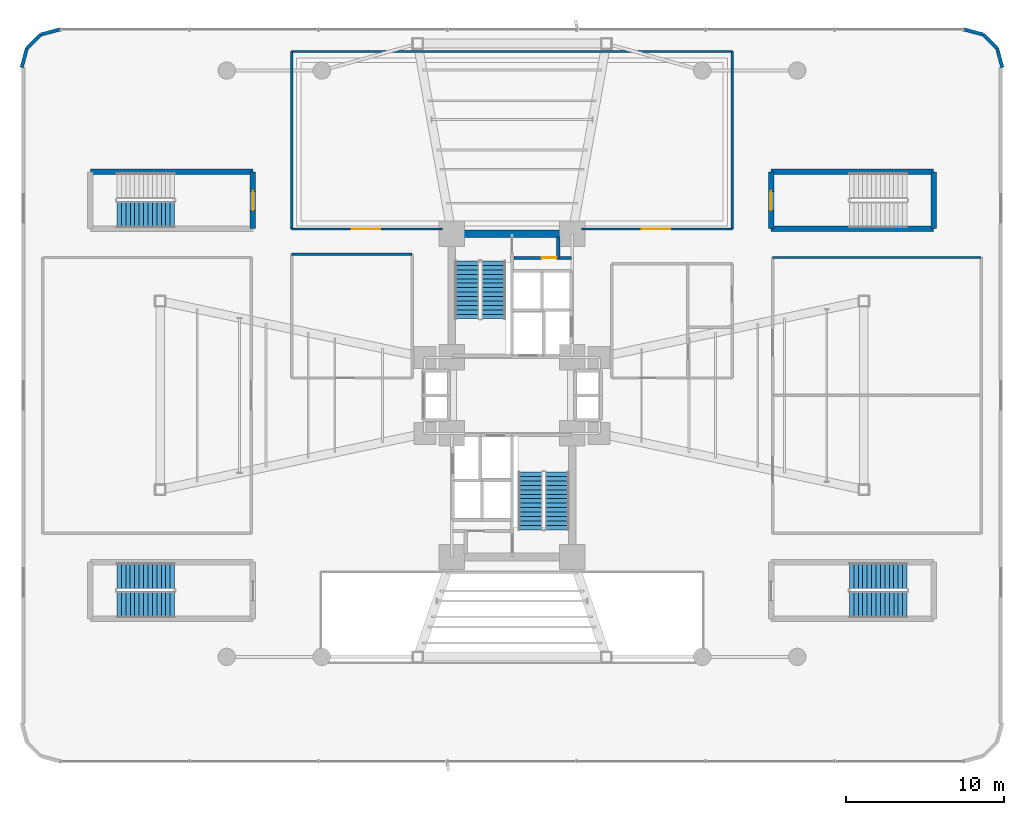
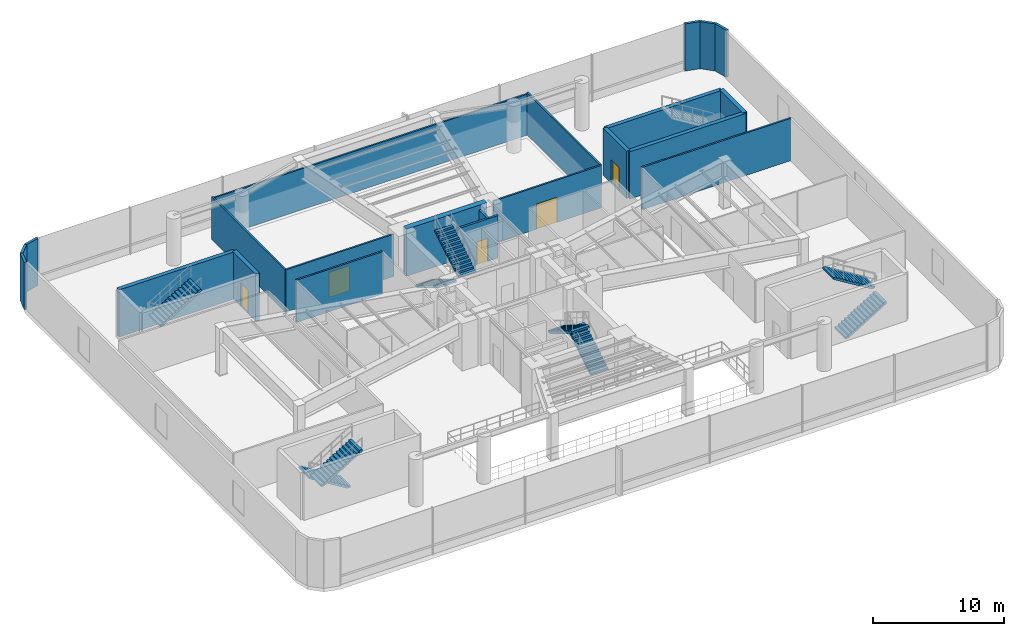
# One storey, part 17 of 22: 22 walls, 9 stair flights, 5 doors, 5 openings, 5 elements without a shape of their own.
"""IFC4 building model written with IfcOpenShell, lengths in metres."""

from ifc_helpers import new_model, si_unit, direction, frame, frame_2d, origin, origin_2d, place, context, subcontext, project, spatial, polyline, rectangle, outline, extrude, source, transform, mapped, material, layer, layer_set, type_object, element, fill, aggregate, save


model = new_model("IFC4")

# Units and contexts
model_context = context("Model", 3, precision=1e-05, world=origin(), true_north=direction((0.0, 1.0)))
body_context = subcontext(model_context, "Body", "Model", "MODEL_VIEW")
ifc_project = project(units=[si_unit("LENGTHUNIT", "METRE"), si_unit("AREAUNIT", "SQUARE_METRE"), si_unit("VOLUMEUNIT", "CUBIC_METRE"), si_unit("PLANEANGLEUNIT", "RADIAN"), si_unit("MASSUNIT", "GRAM", prefix="KILO")], contexts=[model_context])

# Site, building, storey
site_placement = place(None, origin())
site = spatial("IfcSite", under=ifc_project, at=site_placement, CompositionType="ELEMENT")
building_placement = place(site_placement, origin())
building = spatial("IfcBuilding", under=site, at=building_placement, Name="Sahyath Konkavel Grand Hotel", CompositionType="ELEMENT")
storey_placement = place(building_placement, frame((0.0, 0.0, 9.300048828125)))
storey = spatial("IfcBuildingStorey", under=building, at=storey_placement, Name="L02", CompositionType="ELEMENT", Elevation=9.300048828125)

# Wall
ifc_material_1 = material(Name="Concrete C40/50", Category="concrete")
ifc_layer_1 = layer(ifc_material_1, 0.35009765625)
ifc_layer_set_1 = layer_set([ifc_layer_1], Name="Concrete C40/50")
wall_type_1 = type_object("IfcWallType", Name="CWALL-350", PredefinedType="SHEAR", material=ifc_layer_set_1)
wall_1_placement = place(storey_placement, frame((-26.60009765625, 14.10009765625, 0.0), z_axis=(0.0, 0.0, 1.0), x_axis=(1.0, 0.0, 0.0)))
element("IfcWall", 1, at=wall_1_placement, inside=storey, type_object=wall_type_1, Name="L02 Partition ST-P1-N", PredefinedType="SHEAR", context=body_context, shape_type="SweptSolid", body=[
    extrude(rectangle(XDim=10.25, YDim=0.35009765625, at=frame_2d((5.125, 0.0))), origin(), (0.0, 0.0, 1.0), 4.39990234375),
])

# Wall, opening, door
wall_2_placement = place(storey_placement, frame((-16.35009765625, 10.52001953125, 0.0), z_axis=(0.0, 0.0, 1.0), x_axis=(0.0, 1.0, 0.0)))
wall_2 = element("IfcWall", 2, at=wall_2_placement, inside=storey, type_object=wall_type_1, Name="L02 Partition ST-P1-E", PredefinedType="SHEAR", context=body_context, shape_type="SweptSolid", body=[
    extrude(rectangle(XDim=3.580078125, YDim=0.35009765625, at=frame_2d((1.7900390625, 0.0))), origin(), (0.0, 0.0, 1.0), 4.39990234375),
])
opening_1_placement = place(wall_2_placement, frame((1.14990234375, 0.0, 0.0)))
opening_1 = element("IfcOpeningElement", 3, at=opening_1_placement, cuts=wall_2, Name="Opening D-F12A", PredefinedType="OPENING", context=body_context, shape_type="SweptSolid", body=[
    extrude(rectangle(XDim=1.199951171875, YDim=2.199951171875, at=frame_2d((0.60009765625, 1.10009765625))), frame((0.0, 0.18505859375, 0.0), z_axis=(0.0, -1.0, 0.0), x_axis=(1.0, 0.0, 0.0)), (0.0, 0.0, 1.0), 0.3701171875),
])
ifc_material_2 = material(Name="Steel E350 Fire Door", Category="steel")
door_type_1 = type_object("IfcDoorType", Name="DR-FD120-1200", OperationType="NOTDEFINED", PredefinedType="DOOR", material=ifc_material_2)
shared_shape_1 = source(origin(), body_context, "Body", "SweptSolid", [
    extrude(rectangle(XDim=1.199951171875, YDim=0.050048828125, at=origin_2d()), origin(), (0.0, 0.0, 1.0), 2.199951171875),
])
door_1_placement = place(opening_1_placement, frame((0.60009765625, 0.0, 0.0)))
door_1 = element("IfcDoor", 4, at=door_1_placement, inside=storey, type_object=door_type_1, Name="L02 ST-P1 Fire Door", OperationType="SINGLE_SWING_RIGHT", OverallHeight=2.199951171875, OverallWidth=1.199951171875, PredefinedType="DOOR", context=body_context, shape_type="MappedRepresentation", body=[
    mapped(shared_shape_1, transform((0.0, 0.0, 0.0), scale=1.0)),
])
fill(opening_1, door_1)

# Walls
for number, where, z_axis, x_axis, name in (
    (5, (16.35009765625, 14.10009765625, 0.0), (0.0, 0.0, 1.0), (1.0, 0.0, 0.0), "L02 Partition ST-P2-N"),
    (6, (16.35009765625, 10.52001953125, 0.0), (0.0, 0.0, 1.0), (1.0, 0.0, 0.0), "L02 Partition ST-P2-S"),
):
    element("IfcWall", number, at=place(storey_placement, frame(where, z_axis=z_axis, x_axis=x_axis)), inside=storey, type_object=wall_type_1, Name=name, PredefinedType="SHEAR", context=body_context, shape_type="SweptSolid", body=[
        extrude(rectangle(XDim=10.25, YDim=0.35009765625, at=frame_2d((5.125, 0.0))), origin(), (0.0, 0.0, 1.0), 4.39990234375),
    ])

# Wall, opening, door
wall_3_placement = place(storey_placement, frame((16.35009765625, 10.52001953125, 0.0), z_axis=(0.0, 0.0, 1.0), x_axis=(0.0, 1.0, 0.0)))
wall_3 = element("IfcWall", 7, at=wall_3_placement, inside=storey, type_object=wall_type_1, Name="L02 Partition ST-P2-W", PredefinedType="SHEAR", context=body_context, shape_type="SweptSolid", body=[
    extrude(rectangle(XDim=3.580078125, YDim=0.35009765625, at=frame_2d((1.7900390625, 0.0))), origin(), (0.0, 0.0, 1.0), 4.39990234375),
])
opening_2_placement = place(wall_3_placement, frame((1.14990234375, 0.0, 0.0)))
opening_2 = element("IfcOpeningElement", 8, at=opening_2_placement, cuts=wall_3, Name="Opening D-F12A", PredefinedType="OPENING", context=body_context, shape_type="SweptSolid", body=[
    extrude(rectangle(XDim=1.199951171875, YDim=2.199951171875, at=frame_2d((0.60009765625, 1.10009765625))), frame((0.0, 0.18505859375, 0.0), z_axis=(0.0, -1.0, 0.0), x_axis=(1.0, 0.0, 0.0)), (0.0, 0.0, 1.0), 0.3701171875),
])
door_2_placement = place(opening_2_placement, frame((0.60009765625, 0.0, 0.0)))
door_2 = element("IfcDoor", 9, at=door_2_placement, inside=storey, type_object=door_type_1, Name="L02 ST-P2 Fire Door", OperationType="SINGLE_SWING_LEFT", OverallHeight=2.199951171875, OverallWidth=1.199951171875, PredefinedType="DOOR", context=body_context, shape_type="MappedRepresentation", body=[
    mapped(shared_shape_1, transform((0.0, 0.0, 0.0), scale=1.0)),
])
fill(opening_2, door_2)

# Walls
wall_4_placement = place(storey_placement, frame((26.60009765625, 10.52001953125, 0.0), z_axis=(0.0, 0.0, 1.0), x_axis=(0.0, 1.0, 0.0)))
element("IfcWall", 10, at=wall_4_placement, inside=storey, type_object=wall_type_1, Name="L02 Partition ST-P2-E", PredefinedType="SHEAR", context=body_context, shape_type="SweptSolid", body=[
    extrude(rectangle(XDim=3.580078125, YDim=0.35009765625, at=frame_2d((1.7900390625, 0.0))), origin(), (0.0, 0.0, 1.0), 4.39990234375),
])
ifc_material_3 = material(Name="Concrete C70/85", Category="concrete")
ifc_layer_2 = layer(ifc_material_3, 0.5)
ifc_layer_set_2 = layer_set([ifc_layer_2], Name="Concrete C70/85")
wall_type_2 = type_object("IfcWallType", Name="CWALL-500", PredefinedType="SHEAR", material=ifc_layer_set_2)
wall_5_placement = place(storey_placement, frame((-3.550048828125, 10.199951171875, 0.0), z_axis=(0.0, 0.0, 1.0), x_axis=(1.0, 0.0, 0.0)))
element("IfcWall", 11, at=wall_5_placement, inside=storey, type_object=wall_type_2, Name="L02 North Core Shear Wall N", PredefinedType="SHEAR", context=body_context, shape_type="SweptSolid", body=[
    extrude(rectangle(XDim=7.10009765625, YDim=0.5, at=frame_2d((3.550048828125, 0.0))), origin(), (0.0, 0.0, 1.0), 4.39990234375),
])
ifc_material_4 = material(Name="Warm Buff Sandstone Insulated Concrete C40/50", Category="masonry")
ifc_layer_3 = layer(ifc_material_4, 0.219970703125)
ifc_layer_set_3 = layer_set([ifc_layer_3], Name="Warm Buff Sandstone Insulated Concrete C40/50")
wall_type_3 = type_object("IfcWallType", Name="WLL-BALC-THRESH", PredefinedType="STANDARD", material=ifc_layer_set_3)
wall_6_placement = place(storey_placement, frame((30.94091796875, 20.69189453125, 0.0), z_axis=(0.0, 0.0, 1.0), x_axis=(-0.25877537102, 0.965937527666, 0.0)))
element("IfcWall", 12, at=wall_6_placement, inside=storey, type_object=wall_type_3, Name="L02 Rounded Podium Corner Sandstone Pier 4", PredefinedType="STANDARD", context=body_context, shape_type="SweptSolid", body=[
    extrude(rectangle(XDim=1.242431640625, YDim=0.219970703125, at=frame_2d((0.62109375, 0.0))), origin(), (0.0, 0.0, 1.0), 4.39990234375),
])
for number, where, z_axis, x_axis, name in (
    (13, (30.619384765625, 21.89208984375, 0.0), (0.0, 0.0, 1.0), (-0.707106781187, 0.707106781187, 0.0), "L02 Rounded Podium Corner Sandstone Pier 5"),
    (14, (29.740966796875, 22.7705078125, 0.0), (0.0, 0.0, 1.0), (-0.965924366126, 0.258824494443, 0.0), "L02 Rounded Podium Corner Sandstone Pier 6"),
    (15, (-28.541015625, 23.092041015625, 0.0), (0.0, 0.0, 1.0), (-0.965924366126, -0.258824494443, 0.0), "L02 Rounded Podium Corner Sandstone Pier 8"),
    (16, (-29.740966796875, 22.7705078125, 0.0), (0.0, 0.0, 1.0), (-0.707106781187, -0.707106781187, 0.0), "L02 Rounded Podium Corner Sandstone Pier 9"),
):
    element("IfcWall", number, at=place(storey_placement, frame(where, z_axis=z_axis, x_axis=x_axis)), inside=storey, type_object=wall_type_3, Name=name, PredefinedType="STANDARD", context=body_context, shape_type="SweptSolid", body=[
        extrude(rectangle(XDim=1.2421875, YDim=0.219970703125, at=frame_2d((0.62109375, 0.0))), origin(), (0.0, 0.0, 1.0), 4.39990234375),
    ])
wall_7_placement = place(storey_placement, frame((-30.619384765625, 21.89208984375, 0.0), z_axis=(0.0, 0.0, 1.0), x_axis=(-0.25877537102, -0.965937527666, 0.0)))
element("IfcWall", 17, at=wall_7_placement, inside=storey, type_object=wall_type_3, Name="L02 Rounded Podium Corner Sandstone Pier 10", PredefinedType="STANDARD", context=body_context, shape_type="SweptSolid", body=[
    extrude(rectangle(XDim=1.242431640625, YDim=0.219970703125, at=frame_2d((0.62109375, 0.0))), origin(), (0.0, 0.0, 1.0), 4.39990234375),
])

# Wall, opening, door
ifc_layer_4 = layer(ifc_material_1, 0.199951171875)
ifc_layer_set_4 = layer_set([ifc_layer_4], Name="Concrete C40/50")
wall_type_4 = type_object("IfcWallType", Name="WLL-CORE-200", PredefinedType="SOLIDWALL", material=ifc_layer_set_4)
wall_8_placement = place(storey_placement, frame((0.1201171875, 8.679931640625, 0.0), z_axis=(0.0, 0.0, 1.0), x_axis=(1.0, 0.0, 0.0)))
wall_8 = element("IfcWall", 18, at=wall_8_placement, inside=storey, type_object=wall_type_4, Name="L02 North FF Lobby Separation Wall", PredefinedType="SOLIDWALL", context=body_context, shape_type="SweptSolid", body=[
    extrude(rectangle(XDim=3.619873046875, YDim=0.199951171875, at=frame_2d((1.81005859375, 0.0))), origin(), (0.0, 0.0, 1.0), 3.949951171875),
])
opening_3_placement = place(wall_8_placement, frame((1.75, 0.0, 0.0)))
opening_3 = element("IfcOpeningElement", 19, at=opening_3_placement, cuts=wall_8, Name="Opening D-F12C", PredefinedType="OPENING", context=body_context, shape_type="SweptSolid", body=[
    extrude(rectangle(XDim=0.949951171875, YDim=2.14990234375, at=frame_2d((0.47509765625, 1.074951171875))), frame((0.0, 0.10986328125, 0.0), z_axis=(0.0, -1.0, 0.0), x_axis=(1.0, 0.0, 0.0)), (0.0, 0.0, 1.0), 0.219970703125),
])
ifc_material_5 = material(Name="Steel E350 Plant Fire Door", Category="steel")
door_type_2 = type_object("IfcDoorType", Name="DR-FD120-950", OperationType="NOTDEFINED", PredefinedType="DOOR", material=ifc_material_5)
shared_shape_2 = source(origin(), body_context, "Body", "SweptSolid", [
    extrude(rectangle(XDim=0.949951171875, YDim=0.050048828125, at=origin_2d()), origin(), (0.0, 0.0, 1.0), 2.14990234375),
])
door_3_placement = place(opening_3_placement, frame((0.47509765625, 0.0, 0.0)))
door_3 = element("IfcDoor", 20, at=door_3_placement, inside=storey, type_object=door_type_2, Name="L02 North Firefighting Lobby Door", OperationType="SINGLE_SWING_LEFT", OverallHeight=2.14990234375, OverallWidth=0.949951171875, PredefinedType="DOOR", context=body_context, shape_type="MappedRepresentation", body=[
    mapped(shared_shape_2, transform((0.0, 0.0, 0.0), scale=1.0)),
])
fill(opening_3, door_3)

# Wall
wall_9_placement = place(storey_placement, frame((2.919921875, 8.679931640625, 0.0), z_axis=(0.0, 0.0, 1.0), x_axis=(0.0, 1.0, 0.0)))
element("IfcWall", 21, at=wall_9_placement, inside=storey, type_object=wall_type_4, Name="L02 Partition NFF-E2", PredefinedType="SOLIDWALL", context=body_context, shape_type="SweptSolid", body=[
    extrude(rectangle(XDim=1.320068359375, YDim=0.199951171875, at=frame_2d((0.66015625, 0.0))), origin(), (0.0, 0.0, 1.0), 3.949951171875),
])

# Wall, opening, door
ifc_material_6 = material(Name="Fire-Rated Gypsum Plasterboard Partition")
ifc_layer_5 = layer(ifc_material_6, 0.14990234375)
ifc_layer_set_5 = layer_set([ifc_layer_5], Name="Fire-Rated Gypsum Plasterboard Partition")
wall_type_5 = type_object("IfcWallType", Name="WLL-PART-150", PredefinedType="PARTITIONING", material=ifc_layer_set_5)
wall_10_placement = place(storey_placement, frame((-13.89990234375, 10.5, 0.0), z_axis=(0.0, 0.0, 1.0), x_axis=(1.0, 0.0, 0.0)))
wall_10 = element("IfcWall", 22, at=wall_10_placement, inside=storey, type_object=wall_type_5, Name="L02 Partition L02-BL-SW", PredefinedType="PARTITIONING", context=body_context, shape_type="SweptSolid", body=[
    extrude(rectangle(XDim=9.5, YDim=0.14990234375, at=frame_2d((4.75, 0.0))), origin(), (0.0, 0.0, 1.0), 3.949951171875),
])
opening_4_placement = place(wall_10_placement, frame((3.800048828125, 0.0, 0.0)))
opening_4 = element("IfcOpeningElement", 23, at=opening_4_placement, cuts=wall_10, Name="Opening D-DB18", PredefinedType="OPENING", context=body_context, shape_type="SweptSolid", body=[
    extrude(rectangle(XDim=1.800048828125, YDim=2.35009765625, at=frame_2d((0.89990234375, 1.175048828125))), frame((0.0, 0.0849609375, 0.0), z_axis=(0.0, -1.0, 0.0), x_axis=(1.0, 0.0, 0.0)), (0.0, 0.0, 1.0), 0.169921875),
])
ifc_material_7 = material(Name="Double Leaf Ballroom Acoustic Door")
door_type_3 = type_object("IfcDoorType", Name="DR-DBL-1800", OperationType="DOUBLE_DOOR_SINGLE_SWING", PredefinedType="DOOR", material=ifc_material_7)
shared_shape_3 = source(origin(), body_context, "Body", "SweptSolid", [
    extrude(rectangle(XDim=1.800048828125, YDim=0.050048828125, at=origin_2d()), origin(), (0.0, 0.0, 1.0), 2.35009765625),
])
door_4_placement = place(opening_4_placement, frame((0.89990234375, 0.0, 0.0)))
door_4 = element("IfcDoor", 24, at=door_4_placement, inside=storey, type_object=door_type_3, Name="L02 Door L02-BL-DW", OperationType="DOUBLE_DOOR_SINGLE_SWING", OverallHeight=2.35009765625, OverallWidth=1.800048828125, PredefinedType="DOOR", context=body_context, shape_type="MappedRepresentation", body=[
    mapped(shared_shape_3, transform((0.0, 0.0, 0.0), scale=1.0)),
])
fill(opening_4, door_4)

wall_11_placement = place(storey_placement, frame((4.39990234375, 10.5, 0.0), z_axis=(0.0, 0.0, 1.0), x_axis=(1.0, 0.0, 0.0)))
wall_11 = element("IfcWall", 25, at=wall_11_placement, inside=storey, type_object=wall_type_5, Name="L02 Partition L02-BL-SE", PredefinedType="PARTITIONING", context=body_context, shape_type="SweptSolid", body=[
    extrude(rectangle(XDim=9.5, YDim=0.14990234375, at=frame_2d((4.75, 0.0))), origin(), (0.0, 0.0, 1.0), 3.949951171875),
])
opening_5_placement = place(wall_11_placement, frame((3.800048828125, 0.0, 0.0)))
opening_5 = element("IfcOpeningElement", 26, at=opening_5_placement, cuts=wall_11, Name="Opening D-DB18", PredefinedType="OPENING", context=body_context, shape_type="SweptSolid", body=[
    extrude(rectangle(XDim=1.800048828125, YDim=2.35009765625, at=frame_2d((0.89990234375, 1.175048828125))), frame((0.0, 0.0849609375, 0.0), z_axis=(0.0, -1.0, 0.0), x_axis=(1.0, 0.0, 0.0)), (0.0, 0.0, 1.0), 0.169921875),
])
door_5_placement = place(opening_5_placement, frame((0.89990234375, 0.0, 0.0)))
door_5 = element("IfcDoor", 27, at=door_5_placement, inside=storey, type_object=door_type_3, Name="L02 Door L02-BL-DE", OperationType="DOUBLE_DOOR_SINGLE_SWING", OverallHeight=2.35009765625, OverallWidth=1.800048828125, PredefinedType="DOOR", context=body_context, shape_type="MappedRepresentation", body=[
    mapped(shared_shape_3, transform((0.0, 0.0, 0.0), scale=1.0)),
])
fill(opening_5, door_5)

# Walls
for number, where, z_axis, x_axis, name in (
    (28, (-13.89990234375, 10.5, 0.0), (0.0, 0.0, 1.0), (0.0, 1.0, 0.0), "L02 Partition L02-BL-W"),
    (29, (13.89990234375, 10.5, 0.0), (0.0, 0.0, 1.0), (0.0, 1.0, 0.0), "L02 Partition L02-BL-E"),
):
    element("IfcWall", number, at=place(storey_placement, frame(where, z_axis=z_axis, x_axis=x_axis)), inside=storey, type_object=wall_type_5, Name=name, PredefinedType="PARTITIONING", context=body_context, shape_type="SweptSolid", body=[
        extrude(rectangle(XDim=11.199951171875, YDim=0.14990234375, at=frame_2d((5.60009765625, 0.0))), origin(), (0.0, 0.0, 1.0), 3.949951171875),
    ])
wall_12_placement = place(storey_placement, frame((-13.89990234375, 21.699951171875, 0.0), z_axis=(0.0, 0.0, 1.0), x_axis=(1.0, 0.0, 0.0)))
element("IfcWall", 30, at=wall_12_placement, inside=storey, type_object=wall_type_5, Name="L02 Partition L02-BL-N", PredefinedType="PARTITIONING", context=body_context, shape_type="SweptSolid", body=[
    extrude(rectangle(XDim=27.7998046875, YDim=0.14990234375, at=frame_2d((13.89990234375, 0.0))), origin(), (0.0, 0.0, 1.0), 3.820068359375),
])
wall_13_placement = place(storey_placement, frame((16.449951171875, 8.699951171875, 0.0), z_axis=(0.0, 0.0, 1.0), x_axis=(1.0, 0.0, 0.0)))
element("IfcWall", 31, at=wall_13_placement, inside=storey, type_object=wall_type_5, Name="L02 Partition L02-BQE-N", PredefinedType="PARTITIONING", context=body_context, shape_type="SweptSolid", body=[
    extrude(rectangle(XDim=13.150146484375, YDim=0.14990234375, at=frame_2d((6.5751953125, 0.0))), origin(), (0.0, 0.0, 1.0), 3.949951171875),
])
wall_14_placement = place(storey_placement, frame((-13.89990234375, 8.89990234375, 0.0), z_axis=(0.0, 0.0, 1.0), x_axis=(1.0, 0.0, 0.0)))
element("IfcWall", 32, at=wall_14_placement, inside=storey, type_object=wall_type_5, Name="L02 Partition L02-BK-N", PredefinedType="PARTITIONING", context=body_context, shape_type="SweptSolid", body=[
    extrude(rectangle(XDim=7.599853515625, YDim=0.14990234375, at=frame_2d((3.7998046875, 0.0))), origin(), (0.0, 0.0, 1.0), 3.949951171875),
])

# Stair, stair flights
stair_type = type_object("IfcStairType", Name="STR-ST16-480", PredefinedType="HALF_TURN_STAIR", material=ifc_material_1)
stair_1_placement = place(storey_placement, origin())
stair_1 = element("IfcStair", 33, at=stair_1_placement, inside=storey, type_object=stair_type, Name="L02 North Core Smokeproof Exit Stair ST-1", PredefinedType="HALF_TURN_STAIR")
stair_flight_type = type_object("IfcStairFlightType", Name="STF-ST16-480", PredefinedType="STRAIGHT", material=ifc_material_1)
stair_flight_1_placement = place(storey_placement, frame((-2.840087890625, 8.47998046875, 0.0), z_axis=(0.0, 0.0, 1.0), x_axis=(0.0, -1.0, 0.0)))
stair_flight_1 = element("IfcStairFlight", 34, at=stair_flight_1_placement, type_object=stair_flight_type, Name="ST-1 flight 1", NumberOfRisers=14, NumberOfTreads=13, PredefinedType="STRAIGHT", RiserHeight=0.171428571, TreadLength=0.28, context=body_context, shape_type="SweptSolid", body=[
    extrude(outline(polyline([(0.0, 0.0), (0.0, 0.17138671875), (0.280029296875, 0.17138671875), (0.280029296875, 0.3427734375), (0.56005859375, 0.3427734375), (0.56005859375, 0.514404296875), (0.840087890625, 0.514404296875), (0.840087890625, 0.685791015625), (1.1201171875, 0.685791015625), (1.1201171875, 0.857177734375), (1.39990234375, 0.857177734375), (1.39990234375, 1.028564453125), (1.679931640625, 1.028564453125), (1.679931640625, 1.199951171875), (1.9599609375, 1.199951171875), (1.9599609375, 1.371337890625), (2.239990234375, 1.371337890625), (2.239990234375, 1.54296875), (2.52001953125, 1.54296875), (2.52001953125, 1.71435546875), (2.800048828125, 1.71435546875), (2.800048828125, 1.8857421875), (3.080078125, 1.8857421875), (3.080078125, 2.05712890625), (3.360107421875, 2.05712890625), (3.360107421875, 2.228515625), (3.639892578125, 2.228515625), (3.639892578125, 2.39990234375), (3.639892578125, 2.052734375), (0.287109375, 0.0), (0.0, 0.0)])), frame((0.0, 0.760009765625, 0.0), z_axis=(0.0, -1.0, 0.0), x_axis=(1.0, 0.0, 0.0)), (0.0, 0.0, 1.0), 1.52001953125),
])
stair_flight_2_placement = place(storey_placement, frame((-1.159912109375, 4.840087890625, 2.39990234375), z_axis=(0.0, 0.0, 1.0), x_axis=(0.0, 1.0, 0.0)))
stair_flight_2 = element("IfcStairFlight", 35, at=stair_flight_2_placement, type_object=stair_flight_type, Name="ST-1 flight 2", NumberOfRisers=14, NumberOfTreads=13, PredefinedType="STRAIGHT", RiserHeight=0.171428571, TreadLength=0.28, context=body_context, shape_type="SweptSolid", body=[
    extrude(outline(polyline([(0.0, 0.0), (0.0, 0.17138671875), (0.280029296875, 0.17138671875), (0.280029296875, 0.3427734375), (0.56005859375, 0.3427734375), (0.56005859375, 0.514404296875), (0.840087890625, 0.514404296875), (0.840087890625, 0.685791015625), (1.1201171875, 0.685791015625), (1.1201171875, 0.857177734375), (1.39990234375, 0.857177734375), (1.39990234375, 1.028564453125), (1.679931640625, 1.028564453125), (1.679931640625, 1.199951171875), (1.9599609375, 1.199951171875), (1.9599609375, 1.371337890625), (2.239990234375, 1.371337890625), (2.239990234375, 1.54296875), (2.52001953125, 1.54296875), (2.52001953125, 1.71435546875), (2.800048828125, 1.71435546875), (2.800048828125, 1.8857421875), (3.080078125, 1.8857421875), (3.080078125, 2.05712890625), (3.360107421875, 2.05712890625), (3.360107421875, 2.228515625), (3.639892578125, 2.228515625), (3.639892578125, 2.39990234375), (3.639892578125, 2.052734375), (0.287109375, 0.0), (0.0, 0.0)])), frame((0.0, 0.760009765625, 0.0), z_axis=(0.0, -1.0, 0.0), x_axis=(1.0, 0.0, 0.0)), (0.0, 0.0, 1.0), 1.52001953125),
])
aggregate(stair_1, [stair_flight_1, stair_flight_2])

stair_2_placement = place(storey_placement, origin())
stair_2 = element("IfcStair", 36, at=stair_2_placement, inside=storey, type_object=stair_type, Name="L02 South Core Smokeproof Exit Stair ST-2", PredefinedType="HALF_TURN_STAIR")
stair_flight_3_placement = place(storey_placement, frame((2.840087890625, -8.47998046875, 0.0), z_axis=(0.0, 0.0, 1.0), x_axis=(0.0, 1.0, 0.0)))
stair_flight_3 = element("IfcStairFlight", 37, at=stair_flight_3_placement, type_object=stair_flight_type, Name="ST-2 flight 1", NumberOfRisers=14, NumberOfTreads=13, PredefinedType="STRAIGHT", RiserHeight=0.171428571, TreadLength=0.28, context=body_context, shape_type="SweptSolid", body=[
    extrude(outline(polyline([(0.0, 0.0), (0.0, 0.17138671875), (0.280029296875, 0.17138671875), (0.280029296875, 0.3427734375), (0.56005859375, 0.3427734375), (0.56005859375, 0.514404296875), (0.840087890625, 0.514404296875), (0.840087890625, 0.685791015625), (1.1201171875, 0.685791015625), (1.1201171875, 0.857177734375), (1.39990234375, 0.857177734375), (1.39990234375, 1.028564453125), (1.679931640625, 1.028564453125), (1.679931640625, 1.199951171875), (1.9599609375, 1.199951171875), (1.9599609375, 1.371337890625), (2.239990234375, 1.371337890625), (2.239990234375, 1.54296875), (2.52001953125, 1.54296875), (2.52001953125, 1.71435546875), (2.800048828125, 1.71435546875), (2.800048828125, 1.8857421875), (3.080078125, 1.8857421875), (3.080078125, 2.05712890625), (3.360107421875, 2.05712890625), (3.360107421875, 2.228515625), (3.639892578125, 2.228515625), (3.639892578125, 2.39990234375), (3.639892578125, 2.052734375), (0.287109375, 0.0), (0.0, 0.0)])), frame((0.0, 0.760009765625, 0.0), z_axis=(0.0, -1.0, 0.0), x_axis=(1.0, 0.0, 0.0)), (0.0, 0.0, 1.0), 1.52001953125),
])
stair_flight_4_placement = place(storey_placement, frame((1.159912109375, -4.840087890625, 2.39990234375), z_axis=(0.0, 0.0, 1.0), x_axis=(0.0, -1.0, 0.0)))
stair_flight_4 = element("IfcStairFlight", 38, at=stair_flight_4_placement, type_object=stair_flight_type, Name="ST-2 flight 2", NumberOfRisers=14, NumberOfTreads=13, PredefinedType="STRAIGHT", RiserHeight=0.171428571, TreadLength=0.28, context=body_context, shape_type="SweptSolid", body=[
    extrude(outline(polyline([(0.0, 0.0), (0.0, 0.17138671875), (0.280029296875, 0.17138671875), (0.280029296875, 0.3427734375), (0.56005859375, 0.3427734375), (0.56005859375, 0.514404296875), (0.840087890625, 0.514404296875), (0.840087890625, 0.685791015625), (1.1201171875, 0.685791015625), (1.1201171875, 0.857177734375), (1.39990234375, 0.857177734375), (1.39990234375, 1.028564453125), (1.679931640625, 1.028564453125), (1.679931640625, 1.199951171875), (1.9599609375, 1.199951171875), (1.9599609375, 1.371337890625), (2.239990234375, 1.371337890625), (2.239990234375, 1.54296875), (2.52001953125, 1.54296875), (2.52001953125, 1.71435546875), (2.800048828125, 1.71435546875), (2.800048828125, 1.8857421875), (3.080078125, 1.8857421875), (3.080078125, 2.05712890625), (3.360107421875, 2.05712890625), (3.360107421875, 2.228515625), (3.639892578125, 2.228515625), (3.639892578125, 2.39990234375), (3.639892578125, 2.052734375), (0.287109375, 0.0), (0.0, 0.0)])), frame((0.0, 0.760009765625, 0.0), z_axis=(0.0, -1.0, 0.0), x_axis=(1.0, 0.0, 0.0)), (0.0, 0.0, 1.0), 1.52001953125),
])
aggregate(stair_2, [stair_flight_3, stair_flight_4])

# Stair, stair flight
stair_3_placement = place(storey_placement, origin())
stair_3 = element("IfcStair", 39, at=stair_3_placement, inside=storey, type_object=stair_type, Name="L02 Podium Protected Exit Stair ST-P1", PredefinedType="HALF_TURN_STAIR")
stair_flight_5_placement = place(storey_placement, frame((-24.929931640625, 11.405029296875, 2.39990234375), z_axis=(0.0, 0.0, 1.0), x_axis=(1.0, 0.0, 0.0)))
stair_flight_5 = element("IfcStairFlight", 40, at=stair_flight_5_placement, type_object=stair_flight_type, Name="ST-P1 flight 2", NumberOfRisers=14, NumberOfTreads=13, PredefinedType="STRAIGHT", RiserHeight=0.171428571, TreadLength=0.28, context=body_context, shape_type="SweptSolid", body=[
    extrude(outline(polyline([(0.0, 0.0), (0.0, 0.17138671875), (0.280029296875, 0.17138671875), (0.280029296875, 0.3427734375), (0.56005859375, 0.3427734375), (0.56005859375, 0.514404296875), (0.840087890625, 0.514404296875), (0.840087890625, 0.685791015625), (1.1201171875, 0.685791015625), (1.1201171875, 0.857177734375), (1.39990234375, 0.857177734375), (1.39990234375, 1.028564453125), (1.679931640625, 1.028564453125), (1.679931640625, 1.199951171875), (1.9599609375, 1.199951171875), (1.9599609375, 1.371337890625), (2.239990234375, 1.371337890625), (2.239990234375, 1.54296875), (2.52001953125, 1.54296875), (2.52001953125, 1.71435546875), (2.800048828125, 1.71435546875), (2.800048828125, 1.8857421875), (3.080078125, 1.8857421875), (3.080078125, 2.05712890625), (3.360107421875, 2.05712890625), (3.360107421875, 2.228515625), (3.639892578125, 2.228515625), (3.639892578125, 2.39990234375), (3.639892578125, 2.052734375), (0.287109375, 0.0), (0.0, 0.0)])), frame((0.0, 0.824951171875, 0.0), z_axis=(0.0, -1.0, 0.0), x_axis=(1.0, 0.0, 0.0)), (0.0, 0.0, 1.0), 1.64990234375),
])
aggregate(stair_3, [stair_flight_5])

# Stair, stair flights
stair_4_placement = place(storey_placement, origin())
stair_4 = element("IfcStair", 41, at=stair_4_placement, inside=storey, type_object=stair_type, Name="L02 Podium Protected Exit Stair ST-P3", PredefinedType="HALF_TURN_STAIR")
stair_flight_6_placement = place(storey_placement, frame((-21.2900390625, -11.405029296875, 0.0), z_axis=(0.0, 0.0, 1.0), x_axis=(-1.0, 0.0, 0.0)))
stair_flight_6 = element("IfcStairFlight", 42, at=stair_flight_6_placement, type_object=stair_flight_type, Name="ST-P3 flight 1", NumberOfRisers=14, NumberOfTreads=13, PredefinedType="STRAIGHT", RiserHeight=0.171428571, TreadLength=0.28, context=body_context, shape_type="SweptSolid", body=[
    extrude(outline(polyline([(0.0, 0.0), (0.0, 0.17138671875), (0.280029296875, 0.17138671875), (0.280029296875, 0.3427734375), (0.56005859375, 0.3427734375), (0.56005859375, 0.514404296875), (0.840087890625, 0.514404296875), (0.840087890625, 0.685791015625), (1.1201171875, 0.685791015625), (1.1201171875, 0.857177734375), (1.39990234375, 0.857177734375), (1.39990234375, 1.028564453125), (1.679931640625, 1.028564453125), (1.679931640625, 1.199951171875), (1.9599609375, 1.199951171875), (1.9599609375, 1.371337890625), (2.239990234375, 1.371337890625), (2.239990234375, 1.54296875), (2.52001953125, 1.54296875), (2.52001953125, 1.71435546875), (2.800048828125, 1.71435546875), (2.800048828125, 1.8857421875), (3.080078125, 1.8857421875), (3.080078125, 2.05712890625), (3.360107421875, 2.05712890625), (3.360107421875, 2.228515625), (3.639892578125, 2.228515625), (3.639892578125, 2.39990234375), (3.639892578125, 2.052734375), (0.287109375, 0.0), (0.0, 0.0)])), frame((0.0, 0.824951171875, 0.0), z_axis=(0.0, -1.0, 0.0), x_axis=(1.0, 0.0, 0.0)), (0.0, 0.0, 1.0), 1.64990234375),
])
stair_flight_7_placement = place(storey_placement, frame((-24.929931640625, -13.215087890625, 2.39990234375), z_axis=(0.0, 0.0, 1.0), x_axis=(1.0, 0.0, 0.0)))
stair_flight_7 = element("IfcStairFlight", 43, at=stair_flight_7_placement, type_object=stair_flight_type, Name="ST-P3 flight 2", NumberOfRisers=14, NumberOfTreads=13, PredefinedType="STRAIGHT", RiserHeight=0.171428571, TreadLength=0.28, context=body_context, shape_type="SweptSolid", body=[
    extrude(outline(polyline([(0.0, 0.0), (0.0, 0.17138671875), (0.280029296875, 0.17138671875), (0.280029296875, 0.3427734375), (0.56005859375, 0.3427734375), (0.56005859375, 0.514404296875), (0.840087890625, 0.514404296875), (0.840087890625, 0.685791015625), (1.1201171875, 0.685791015625), (1.1201171875, 0.857177734375), (1.39990234375, 0.857177734375), (1.39990234375, 1.028564453125), (1.679931640625, 1.028564453125), (1.679931640625, 1.199951171875), (1.9599609375, 1.199951171875), (1.9599609375, 1.371337890625), (2.239990234375, 1.371337890625), (2.239990234375, 1.54296875), (2.52001953125, 1.54296875), (2.52001953125, 1.71435546875), (2.800048828125, 1.71435546875), (2.800048828125, 1.8857421875), (3.080078125, 1.8857421875), (3.080078125, 2.05712890625), (3.360107421875, 2.05712890625), (3.360107421875, 2.228515625), (3.639892578125, 2.228515625), (3.639892578125, 2.39990234375), (3.639892578125, 2.052734375), (0.287109375, 0.0), (0.0, 0.0)])), frame((0.0, 0.824951171875, 0.0), z_axis=(0.0, -1.0, 0.0), x_axis=(1.0, 0.0, 0.0)), (0.0, 0.0, 1.0), 1.64990234375),
])
aggregate(stair_4, [stair_flight_6, stair_flight_7])

stair_5_placement = place(storey_placement, origin())
stair_5 = element("IfcStair", 44, at=stair_5_placement, inside=storey, type_object=stair_type, Name="L02 Podium Protected Exit Stair ST-P4", PredefinedType="HALF_TURN_STAIR")
stair_flight_8_placement = place(storey_placement, frame((21.2900390625, -13.215087890625, 0.0), z_axis=(0.0, 0.0, 1.0), x_axis=(1.0, 0.0, 0.0)))
stair_flight_8 = element("IfcStairFlight", 45, at=stair_flight_8_placement, type_object=stair_flight_type, Name="ST-P4 flight 1", NumberOfRisers=14, NumberOfTreads=13, PredefinedType="STRAIGHT", RiserHeight=0.171428571, TreadLength=0.28, context=body_context, shape_type="SweptSolid", body=[
    extrude(outline(polyline([(0.0, 0.0), (0.0, 0.17138671875), (0.280029296875, 0.17138671875), (0.280029296875, 0.3427734375), (0.56005859375, 0.3427734375), (0.56005859375, 0.514404296875), (0.840087890625, 0.514404296875), (0.840087890625, 0.685791015625), (1.1201171875, 0.685791015625), (1.1201171875, 0.857177734375), (1.39990234375, 0.857177734375), (1.39990234375, 1.028564453125), (1.679931640625, 1.028564453125), (1.679931640625, 1.199951171875), (1.9599609375, 1.199951171875), (1.9599609375, 1.371337890625), (2.239990234375, 1.371337890625), (2.239990234375, 1.54296875), (2.52001953125, 1.54296875), (2.52001953125, 1.71435546875), (2.800048828125, 1.71435546875), (2.800048828125, 1.8857421875), (3.080078125, 1.8857421875), (3.080078125, 2.05712890625), (3.360107421875, 2.05712890625), (3.360107421875, 2.228515625), (3.639892578125, 2.228515625), (3.639892578125, 2.39990234375), (3.639892578125, 2.052734375), (0.287109375, 0.0), (0.0, 0.0)])), frame((0.0, 0.824951171875, 0.0), z_axis=(0.0, -1.0, 0.0), x_axis=(1.0, 0.0, 0.0)), (0.0, 0.0, 1.0), 1.64990234375),
])
stair_flight_9_placement = place(storey_placement, frame((24.929931640625, -11.405029296875, 2.39990234375), z_axis=(0.0, 0.0, 1.0), x_axis=(-1.0, 0.0, 0.0)))
stair_flight_9 = element("IfcStairFlight", 46, at=stair_flight_9_placement, type_object=stair_flight_type, Name="ST-P4 flight 2", NumberOfRisers=14, NumberOfTreads=13, PredefinedType="STRAIGHT", RiserHeight=0.171428571, TreadLength=0.28, context=body_context, shape_type="SweptSolid", body=[
    extrude(outline(polyline([(0.0, 0.0), (0.0, 0.17138671875), (0.280029296875, 0.17138671875), (0.280029296875, 0.3427734375), (0.56005859375, 0.3427734375), (0.56005859375, 0.514404296875), (0.840087890625, 0.514404296875), (0.840087890625, 0.685791015625), (1.1201171875, 0.685791015625), (1.1201171875, 0.857177734375), (1.39990234375, 0.857177734375), (1.39990234375, 1.028564453125), (1.679931640625, 1.028564453125), (1.679931640625, 1.199951171875), (1.9599609375, 1.199951171875), (1.9599609375, 1.371337890625), (2.239990234375, 1.371337890625), (2.239990234375, 1.54296875), (2.52001953125, 1.54296875), (2.52001953125, 1.71435546875), (2.800048828125, 1.71435546875), (2.800048828125, 1.8857421875), (3.080078125, 1.8857421875), (3.080078125, 2.05712890625), (3.360107421875, 2.05712890625), (3.360107421875, 2.228515625), (3.639892578125, 2.228515625), (3.639892578125, 2.39990234375), (3.639892578125, 2.052734375), (0.287109375, 0.0), (0.0, 0.0)])), frame((0.0, 0.824951171875, 0.0), z_axis=(0.0, -1.0, 0.0), x_axis=(1.0, 0.0, 0.0)), (0.0, 0.0, 1.0), 1.64990234375),
])
aggregate(stair_5, [stair_flight_8, stair_flight_9])

save(model, "model.ifc")
